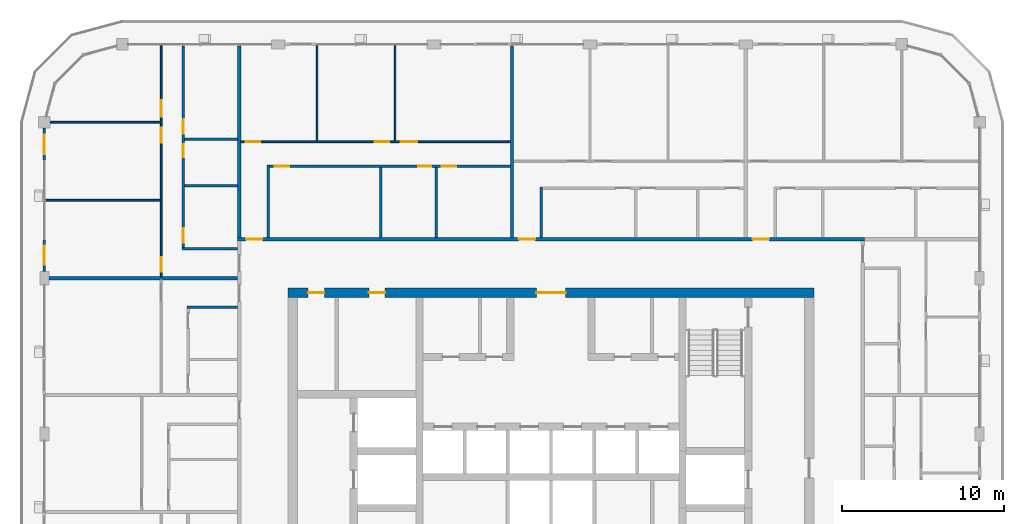
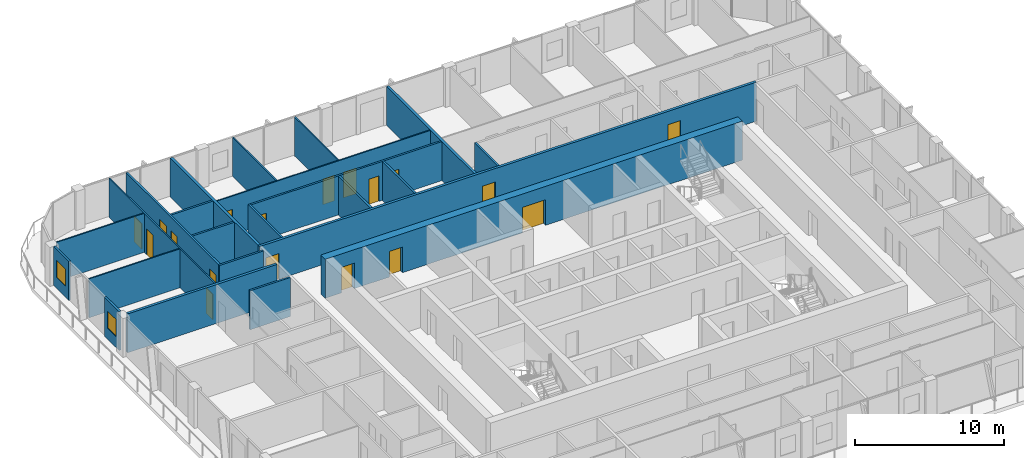
# One storey, part 14 of 22: 23 walls, 18 doors, 2 windows, 20 openings.
"""IFC4 building model written with IfcOpenShell, lengths in metres."""

from ifc_helpers import new_model, si_unit, direction, frame, frame_2d, origin, place, context, subcontext, project, spatial, rectangle, extrude, material, layer, layer_set, type_object, element, fill, save


model = new_model("IFC4")

# Units and contexts
model_context = context("Model", 3, precision=1e-05, world=origin(), true_north=direction((0.0, 1.0)))
body_context = subcontext(model_context, "Body", "Model", "MODEL_VIEW")
ifc_project = project(units=[si_unit("LENGTHUNIT", "METRE"), si_unit("AREAUNIT", "SQUARE_METRE"), si_unit("VOLUMEUNIT", "CUBIC_METRE"), si_unit("PLANEANGLEUNIT", "RADIAN"), si_unit("MASSUNIT", "GRAM", prefix="KILO")], contexts=[model_context])

# Site, building, storey
site_placement = place(None, origin())
site = spatial("IfcSite", under=ifc_project, at=site_placement, CompositionType="ELEMENT")
building_placement = place(site_placement, origin())
building = spatial("IfcBuilding", under=site, at=building_placement, Name="Madar Terraces", CompositionType="ELEMENT")
storey_placement = place(building_placement, frame((0.0, 0.0, 249.199951171875)))
storey = spatial("IfcBuildingStorey", under=building, at=storey_placement, Name="L65", CompositionType="ELEMENT", Elevation=249.199951171875)

# Wall, openings, doors
ifc_material_1 = material(Name="Concrete C55/67", Category="concrete")
ifc_layer_1 = layer(ifc_material_1, 0.60009765625)
ifc_layer_set_1 = layer_set([ifc_layer_1], Name="Concrete C55/67 (CRW5 RC wall 600)")
wall_type_1 = type_object("IfcWallType", Name="CRW5 RC wall 600", PredefinedType="SHEAR", material=ifc_layer_set_1)
wall_1_placement = place(storey_placement, frame((15.0, 37.5, 0.0), z_axis=(0.0, 0.0, 1.0), x_axis=(1.0, 0.0, 0.0)))
wall_1 = element("IfcWall", 1, at=wall_1_placement, inside=storey, type_object=wall_type_1, Name="CORE OUTER WALL", PredefinedType="SHEAR", context=body_context, shape_type="SweptSolid", body=[
    extrude(rectangle(XDim=32.39990234375, YDim=0.60009765625, at=frame_2d((16.199951171875, 0.0))), origin(), (0.0, 0.0, 1.0), 3.199951171875),
])
opening_1_placement = place(wall_1_placement, frame((15.300048828125, 0.0, 0.0)))
opening_1 = element("IfcOpeningElement", 2, at=opening_1_placement, cuts=wall_1, Name="Opening KD1", PredefinedType="OPENING", context=body_context, shape_type="SweptSolid", body=[
    extrude(rectangle(XDim=1.800048828125, YDim=2.10009765625, at=frame_2d((0.89990234375, 1.050048828125))), frame((0.0, 0.31005859375, 0.0), z_axis=(0.0, -1.0, 0.0), x_axis=(1.0, 0.0, 0.0)), (0.0, 0.0, 1.0), 0.6201171875),
])
opening_2_placement = place(wall_1_placement, frame((1.25048828125, 0.0, 0.0)))
opening_2 = element("IfcOpeningElement", 3, at=opening_2_placement, cuts=wall_1, Name="Opening KD2", PredefinedType="OPENING", context=body_context, shape_type="SweptSolid", body=[
    extrude(rectangle(XDim=1.0, YDim=2.10009765625, at=frame_2d((0.5, 1.050048828125))), frame((0.0, 0.31005859375, 0.0), z_axis=(0.0, -1.0, 0.0), x_axis=(1.0, 0.0, 0.0)), (0.0, 0.0, 1.0), 0.6201171875),
])
opening_3_placement = place(wall_1_placement, frame((4.98779296875, 0.0, 0.0)))
opening_3 = element("IfcOpeningElement", 4, at=opening_3_placement, cuts=wall_1, Name="Opening KD2", PredefinedType="OPENING", context=body_context, shape_type="SweptSolid", body=[
    extrude(rectangle(XDim=1.0, YDim=2.10009765625, at=frame_2d((0.5, 1.050048828125))), frame((0.0, 0.31005859375, 0.0), z_axis=(0.0, -1.0, 0.0), x_axis=(1.0, 0.0, 0.0)), (0.0, 0.0, 1.0), 0.6201171875),
])
ifc_material_2 = material(Name="Steel door leaf", Category="steel")
door_type_1 = type_object("IfcDoorType", Name="Lobby door pair 1800 x 2100", OperationType="DOUBLE_DOOR_SINGLE_SWING", PredefinedType="DOOR", material=ifc_material_2)
door_1_placement = place(opening_1_placement, origin())
door_1 = element("IfcDoor", 5, at=door_1_placement, inside=storey, type_object=door_type_1, Name="LIFT LOBBY DOOR", OperationType="DOUBLE_DOOR_SINGLE_SWING", OverallHeight=2.10009765625, OverallWidth=1.800048828125, PredefinedType="DOOR", context=body_context, shape_type="SweptSolid", body=[
    extrude(rectangle(XDim=1.800048828125, YDim=2.10009765625, at=frame_2d((0.89990234375, 1.050048828125))), frame((0.0, 0.02490234375, 0.0), z_axis=(0.0, -1.0, 0.0), x_axis=(1.0, 0.0, 0.0)), (0.0, 0.0, 1.0), 0.050048828125),
])
fill(opening_1, door_1)
ifc_material_3 = material(Name="Steel door leaf", Category="steel")
door_type_2 = type_object("IfcDoorType", Name="Service room door 1000 x 2100", OperationType="NOTDEFINED", PredefinedType="DOOR", material=ifc_material_3)
door_2_placement = place(opening_2_placement, origin())
door_2 = element("IfcDoor", 6, at=door_2_placement, inside=storey, type_object=door_type_2, Name="SERVICE ROOM DOOR", OperationType="SINGLE_SWING_RIGHT", OverallHeight=2.10009765625, OverallWidth=1.0, PredefinedType="DOOR", context=body_context, shape_type="SweptSolid", body=[
    extrude(rectangle(XDim=1.0, YDim=2.10009765625, at=frame_2d((0.5, 1.050048828125))), frame((0.0, 0.02490234375, 0.0), z_axis=(0.0, -1.0, 0.0), x_axis=(1.0, 0.0, 0.0)), (0.0, 0.0, 1.0), 0.050048828125),
])
fill(opening_2, door_2)
door_3_placement = place(opening_3_placement, origin())
door_3 = element("IfcDoor", 7, at=door_3_placement, inside=storey, type_object=door_type_2, Name="SERVICE ROOM DOOR", OperationType="SINGLE_SWING_LEFT", OverallHeight=2.10009765625, OverallWidth=1.0, PredefinedType="DOOR", context=body_context, shape_type="SweptSolid", body=[
    extrude(rectangle(XDim=1.0, YDim=2.10009765625, at=frame_2d((0.5, 1.050048828125))), frame((0.0, 0.02490234375, 0.0), z_axis=(0.0, -1.0, 0.0), x_axis=(1.0, 0.0, 0.0)), (0.0, 0.0, 1.0), 0.050048828125),
])
fill(opening_3, door_3)

# Wall, opening, window
ifc_material_4 = material(Name="Aluminium composite panel, black, over insulated backing", Category="aluminium")
ifc_layer_2 = layer(ifc_material_4, 0.14990234375)
ifc_layer_set_2 = layer_set([ifc_layer_2], Name="Facade bay panel 150")
wall_type_2 = type_object("IfcWallType", Name="Facade bay panel 150", PredefinedType="SOLIDWALL", material=ifc_layer_set_2)
wall_2_placement = place(storey_placement, frame((0.0, 47.64990234375, 0.0), z_axis=(0.0, 0.0, 1.0), x_axis=(0.0, -1.0, 0.0)))
wall_2 = element("IfcWall", 8, at=wall_2_placement, inside=storey, type_object=wall_type_2, Name="Facade bay panel", PredefinedType="SOLIDWALL", context=body_context, shape_type="SweptSolid", body=[
    extrude(rectangle(XDim=2.0498046875, YDim=0.14990234375, at=frame_2d((1.02490234375, 0.0))), origin(), (0.0, 0.0, 1.0), 3.199951171875),
])
opening_4_placement = place(wall_2_placement, frame((0.425048828125, 0.0, 0.89990234375)))
opening_4 = element("IfcOpeningElement", 9, at=opening_4_placement, cuts=wall_2, Name="Opening W1", PredefinedType="OPENING", context=body_context, shape_type="SweptSolid", body=[
    extrude(rectangle(XDim=1.199951171875, YDim=1.39990234375, at=frame_2d((0.60009765625, 0.699951171875))), frame((0.0, 0.0849609375, 0.0), z_axis=(0.0, -1.0, 0.0), x_axis=(1.0, 0.0, 0.0)), (0.0, 0.0, 1.0), 0.169921875),
])
ifc_material_5 = material(Name="Glass, clear, with black aluminium frame", Category="aluminium")
window_type = type_object("IfcWindowType", Name="Vent window 1200 x 1400", PartitioningType="SINGLE_PANEL", PredefinedType="WINDOW", material=ifc_material_5)
window_1_placement = place(opening_4_placement, origin())
window_1 = element("IfcWindow", 10, at=window_1_placement, inside=storey, type_object=window_type, Name="Operable vent window", OverallHeight=1.39990234375, OverallWidth=1.199951171875, PartitioningType="SINGLE_PANEL", PredefinedType="WINDOW", context=body_context, shape_type="SweptSolid", body=[
    extrude(rectangle(XDim=1.199951171875, YDim=1.39990234375, at=frame_2d((0.60009765625, 0.699951171875))), frame((0.0, 0.030029296875, 0.0), z_axis=(0.0, -1.0, 0.0), x_axis=(1.0, 0.0, 0.0)), (0.0, 0.0, 1.0), 0.06005859375),
])
fill(opening_4, window_1)

wall_3_placement = place(storey_placement, frame((0.0, 40.800048828125, 0.0), z_axis=(0.0, 0.0, 1.0), x_axis=(0.0, -1.0, 0.0)))
wall_3 = element("IfcWall", 11, at=wall_3_placement, inside=storey, type_object=wall_type_2, Name="Facade bay panel", PredefinedType="SOLIDWALL", context=body_context, shape_type="SweptSolid", body=[
    extrude(rectangle(XDim=1.97509765625, YDim=0.14990234375, at=frame_2d((0.987548828125, 0.0))), origin(), (0.0, 0.0, 1.0), 3.199951171875),
])
opening_5_placement = place(wall_3_placement, frame((0.387451171875, 0.0, 0.89990234375)))
opening_5 = element("IfcOpeningElement", 12, at=opening_5_placement, cuts=wall_3, Name="Opening W1", PredefinedType="OPENING", context=body_context, shape_type="SweptSolid", body=[
    extrude(rectangle(XDim=1.199951171875, YDim=1.39990234375, at=frame_2d((0.60009765625, 0.699951171875))), frame((0.0, 0.0849609375, 0.0), z_axis=(0.0, -1.0, 0.0), x_axis=(1.0, 0.0, 0.0)), (0.0, 0.0, 1.0), 0.169921875),
])
window_2_placement = place(opening_5_placement, origin())
window_2 = element("IfcWindow", 13, at=window_2_placement, inside=storey, type_object=window_type, Name="Operable vent window", OverallHeight=1.39990234375, OverallWidth=1.199951171875, PartitioningType="SINGLE_PANEL", PredefinedType="WINDOW", context=body_context, shape_type="SweptSolid", body=[
    extrude(rectangle(XDim=1.199951171875, YDim=1.39990234375, at=frame_2d((0.60009765625, 0.699951171875))), frame((0.0, 0.030029296875, 0.0), z_axis=(0.0, -1.0, 0.0), x_axis=(1.0, 0.0, 0.0)), (0.0, 0.0, 1.0), 0.06005859375),
])
fill(opening_5, window_2)

# Walls
ifc_material_6 = material(Name="Gypsum board on steel studs", Category="steel")
ifc_layer_3 = layer(ifc_material_6, 0.10009765625)
ifc_layer_set_3 = layer_set([ifc_layer_3], Name="Flat partition 100")
wall_type_3 = type_object("IfcWallType", Name="Flat partition 100", PredefinedType="PARTITIONING", material=ifc_layer_set_3)
for number, where, z_axis, x_axis, name in (
    (14, (16.800048828125, 46.85009765625, 0.0), (0.0, 0.0, 1.0), (0.0, 1.0, 0.0), "Flat partition 100"),
    (15, (21.60009765625, 46.85009765625, 0.0), (0.0, 0.0, 1.0), (0.0, 1.0, 0.0), "Flat partition 100"),
):
    element("IfcWall", number, at=place(storey_placement, frame(where, z_axis=z_axis, x_axis=x_axis)), inside=storey, type_object=wall_type_3, Name=name, PredefinedType="PARTITIONING", context=body_context, shape_type="SweptSolid", body=[
        extrude(rectangle(XDim=5.849853515625, YDim=0.10009765625, at=frame_2d((2.9248046875, 0.0))), origin(), (0.0, 0.0, 1.0), 3.199951171875),
    ])

# Wall, openings, doors
wall_4_placement = place(storey_placement, frame((12.10009765625, 46.800048828125, 0.0), z_axis=(0.0, 0.0, 1.0), x_axis=(1.0, 0.0, 0.0)))
wall_4 = element("IfcWall", 16, at=wall_4_placement, inside=storey, type_object=wall_type_3, Name="Flat partition 100", PredefinedType="PARTITIONING", context=body_context, shape_type="SweptSolid", body=[
    extrude(rectangle(XDim=16.599853515625, YDim=0.10009765625, at=frame_2d((8.2998046875, 0.0))), origin(), (0.0, 0.0, 1.0), 3.199951171875),
])
opening_6_placement = place(wall_4_placement, frame((0.300048828125, 0.0, 0.0)))
opening_6 = element("IfcOpeningElement", 17, at=opening_6_placement, cuts=wall_4, Name="Opening D2", PredefinedType="OPENING", context=body_context, shape_type="SweptSolid", body=[
    extrude(rectangle(XDim=0.89990234375, YDim=2.10009765625, at=frame_2d((0.449951171875, 1.050048828125))), frame((0.0, 0.06005859375, 0.0), z_axis=(0.0, -1.0, 0.0), x_axis=(1.0, 0.0, 0.0)), (0.0, 0.0, 1.0), 0.1201171875),
])
opening_7_placement = place(wall_4_placement, frame((8.25, 0.0, 0.0)))
opening_7 = element("IfcOpeningElement", 18, at=opening_7_placement, cuts=wall_4, Name="Opening D2", PredefinedType="OPENING", context=body_context, shape_type="SweptSolid", body=[
    extrude(rectangle(XDim=0.89990234375, YDim=2.10009765625, at=frame_2d((0.449951171875, 1.050048828125))), frame((0.0, 0.06005859375, 0.0), z_axis=(0.0, -1.0, 0.0), x_axis=(1.0, 0.0, 0.0)), (0.0, 0.0, 1.0), 0.1201171875),
])
opening_8_placement = place(wall_4_placement, frame((9.85009765625, 0.0, 0.0)))
opening_8 = element("IfcOpeningElement", 19, at=opening_8_placement, cuts=wall_4, Name="Opening D3", PredefinedType="OPENING", context=body_context, shape_type="SweptSolid", body=[
    extrude(rectangle(XDim=1.0, YDim=2.10009765625, at=frame_2d((0.5, 1.050048828125))), frame((0.0, 0.06005859375, 0.0), z_axis=(0.0, -1.0, 0.0), x_axis=(1.0, 0.0, 0.0)), (0.0, 0.0, 1.0), 0.1201171875),
])
ifc_material_7 = material(Name="Timber door leaf", Category="wood")
door_type_3 = type_object("IfcDoorType", Name="Flat living room door 1000", OperationType="NOTDEFINED", PredefinedType="DOOR", material=ifc_material_7)
door_4_placement = place(opening_8_placement, origin())
door_4 = element("IfcDoor", 20, at=door_4_placement, inside=storey, type_object=door_type_3, Name="Flat living room door 1000", OperationType="SINGLE_SWING_LEFT", OverallHeight=2.10009765625, OverallWidth=1.0, PredefinedType="DOOR", context=body_context, shape_type="SweptSolid", body=[
    extrude(rectangle(XDim=1.0, YDim=2.10009765625, at=frame_2d((0.5, 1.050048828125))), frame((0.0, 0.02490234375, 0.0), z_axis=(0.0, -1.0, 0.0), x_axis=(1.0, 0.0, 0.0)), (0.0, 0.0, 1.0), 0.050048828125),
])
fill(opening_8, door_4)
ifc_material_8 = material(Name="Timber door leaf", Category="wood")
door_type_4 = type_object("IfcDoorType", Name="Flat room door 900", OperationType="NOTDEFINED", PredefinedType="DOOR", material=ifc_material_8)
door_5_placement = place(opening_6_placement, origin())
door_5 = element("IfcDoor", 21, at=door_5_placement, inside=storey, type_object=door_type_4, Name="Flat room door 900", OperationType="SINGLE_SWING_LEFT", OverallHeight=2.10009765625, OverallWidth=0.89990234375, PredefinedType="DOOR", context=body_context, shape_type="SweptSolid", body=[
    extrude(rectangle(XDim=0.89990234375, YDim=2.10009765625, at=frame_2d((0.449951171875, 1.050048828125))), frame((0.0, 0.02490234375, 0.0), z_axis=(0.0, -1.0, 0.0), x_axis=(1.0, 0.0, 0.0)), (0.0, 0.0, 1.0), 0.050048828125),
])
fill(opening_6, door_5)
door_6_placement = place(opening_7_placement, origin())
door_6 = element("IfcDoor", 22, at=door_6_placement, inside=storey, type_object=door_type_4, Name="Flat room door 900", OperationType="SINGLE_SWING_RIGHT", OverallHeight=2.10009765625, OverallWidth=0.89990234375, PredefinedType="DOOR", context=body_context, shape_type="SweptSolid", body=[
    extrude(rectangle(XDim=0.89990234375, YDim=2.10009765625, at=frame_2d((0.449951171875, 1.050048828125))), frame((0.0, 0.02490234375, 0.0), z_axis=(0.0, -1.0, 0.0), x_axis=(1.0, 0.0, 0.0)), (0.0, 0.0, 1.0), 0.050048828125),
])
fill(opening_7, door_6)

# Walls
wall_5_placement = place(storey_placement, frame((7.14990234375, 43.199951171875, 0.0), z_axis=(0.0, 0.0, 1.0), x_axis=(-1.0, 0.0, 0.0)))
element("IfcWall", 23, at=wall_5_placement, inside=storey, type_object=wall_type_3, Name="Flat partition 100", PredefinedType="PARTITIONING", context=body_context, shape_type="SweptSolid", body=[
    extrude(rectangle(XDim=7.0498046875, YDim=0.10009765625, at=frame_2d((3.52490234375, 0.0))), origin(), (0.0, 0.0, 1.0), 3.199951171875),
])
wall_6_placement = place(storey_placement, frame((7.14990234375, 48.0, 0.0), z_axis=(0.0, 0.0, 1.0), x_axis=(-1.0, 0.0, 0.0)))
element("IfcWall", 24, at=wall_6_placement, inside=storey, type_object=wall_type_3, Name="Flat partition 100", PredefinedType="PARTITIONING", context=body_context, shape_type="SweptSolid", body=[
    extrude(rectangle(XDim=6.7998046875, YDim=0.10009765625, at=frame_2d((3.39990234375, 0.0))), origin(), (0.0, 0.0, 1.0), 3.199951171875),
])

# Wall, openings, doors
wall_7_placement = place(storey_placement, frame((7.199951171875, 38.5, 0.0), z_axis=(0.0, 0.0, 1.0), x_axis=(0.0, 1.0, 0.0)))
wall_7 = element("IfcWall", 25, at=wall_7_placement, inside=storey, type_object=wall_type_3, Name="Flat partition 100", PredefinedType="PARTITIONING", context=body_context, shape_type="SweptSolid", body=[
    extrude(rectangle(XDim=14.199951171875, YDim=0.10009765625, at=frame_2d((7.10009765625, 0.0))), origin(), (0.0, 0.0, 1.0), 3.199951171875),
])
opening_9_placement = place(wall_7_placement, frame((0.300048828125, 0.0, 0.0)))
opening_9 = element("IfcOpeningElement", 26, at=opening_9_placement, cuts=wall_7, Name="Opening D2", PredefinedType="OPENING", context=body_context, shape_type="SweptSolid", body=[
    extrude(rectangle(XDim=0.89990234375, YDim=2.10009765625, at=frame_2d((0.449951171875, 1.050048828125))), frame((0.0, 0.06005859375, 0.0), z_axis=(0.0, -1.0, 0.0), x_axis=(1.0, 0.0, 0.0)), (0.0, 0.0, 1.0), 0.1201171875),
])
opening_10_placement = place(wall_7_placement, frame((8.25, 0.0, 0.0)))
opening_10 = element("IfcOpeningElement", 27, at=opening_10_placement, cuts=wall_7, Name="Opening D2", PredefinedType="OPENING", context=body_context, shape_type="SweptSolid", body=[
    extrude(rectangle(XDim=0.89990234375, YDim=2.10009765625, at=frame_2d((0.449951171875, 1.050048828125))), frame((0.0, 0.06005859375, 0.0), z_axis=(0.0, -1.0, 0.0), x_axis=(1.0, 0.0, 0.0)), (0.0, 0.0, 1.0), 0.1201171875),
])
opening_11_placement = place(wall_7_placement, frame((9.85009765625, 0.0, 0.0)))
opening_11 = element("IfcOpeningElement", 28, at=opening_11_placement, cuts=wall_7, Name="Opening D3", PredefinedType="OPENING", context=body_context, shape_type="SweptSolid", body=[
    extrude(rectangle(XDim=1.0, YDim=2.10009765625, at=frame_2d((0.5, 1.050048828125))), frame((0.0, 0.06005859375, 0.0), z_axis=(0.0, -1.0, 0.0), x_axis=(1.0, 0.0, 0.0)), (0.0, 0.0, 1.0), 0.1201171875),
])
door_7_placement = place(opening_11_placement, origin())
door_7 = element("IfcDoor", 29, at=door_7_placement, inside=storey, type_object=door_type_3, Name="Flat living room door 1000", OperationType="SINGLE_SWING_LEFT", OverallHeight=2.10009765625, OverallWidth=1.0, PredefinedType="DOOR", context=body_context, shape_type="SweptSolid", body=[
    extrude(rectangle(XDim=1.0, YDim=2.10009765625, at=frame_2d((0.5, 1.050048828125))), frame((0.0, 0.02490234375, 0.0), z_axis=(0.0, -1.0, 0.0), x_axis=(1.0, 0.0, 0.0)), (0.0, 0.0, 1.0), 0.050048828125),
])
fill(opening_11, door_7)
door_8_placement = place(opening_9_placement, origin())
door_8 = element("IfcDoor", 30, at=door_8_placement, inside=storey, type_object=door_type_4, Name="Flat room door 900", OperationType="SINGLE_SWING_LEFT", OverallHeight=2.10009765625, OverallWidth=0.89990234375, PredefinedType="DOOR", context=body_context, shape_type="SweptSolid", body=[
    extrude(rectangle(XDim=0.89990234375, YDim=2.10009765625, at=frame_2d((0.449951171875, 1.050048828125))), frame((0.0, 0.02490234375, 0.0), z_axis=(0.0, -1.0, 0.0), x_axis=(1.0, 0.0, 0.0)), (0.0, 0.0, 1.0), 0.050048828125),
])
fill(opening_9, door_8)
door_9_placement = place(opening_10_placement, origin())
door_9 = element("IfcDoor", 31, at=door_9_placement, inside=storey, type_object=door_type_4, Name="Flat room door 900", OperationType="SINGLE_SWING_RIGHT", OverallHeight=2.10009765625, OverallWidth=0.89990234375, PredefinedType="DOOR", context=body_context, shape_type="SweptSolid", body=[
    extrude(rectangle(XDim=0.89990234375, YDim=2.10009765625, at=frame_2d((0.449951171875, 1.050048828125))), frame((0.0, 0.02490234375, 0.0), z_axis=(0.0, -1.0, 0.0), x_axis=(1.0, 0.0, 0.0)), (0.0, 0.0, 1.0), 0.050048828125),
])
fill(opening_10, door_9)

ifc_material_9 = material(Name="Lightweight blockwork", Category="masonry")
ifc_layer_4 = layer(ifc_material_9, 0.199951171875)
ifc_layer_set_4 = layer_set([ifc_layer_4], Name="Flat party and entrance wall 200")
wall_type_4 = type_object("IfcWallType", Name="Flat party and entrance wall 200", PredefinedType="PARTITIONING", material=ifc_layer_set_4)
wall_8_placement = place(storey_placement, frame((11.89990234375, 40.800048828125, 0.0), z_axis=(0.0, 0.0, 1.0), x_axis=(1.0, 0.0, 0.0)))
wall_8 = element("IfcWall", 32, at=wall_8_placement, inside=storey, type_object=wall_type_4, Name="Flat party and entrance wall 200", PredefinedType="PARTITIONING", context=body_context, shape_type="SweptSolid", body=[
    extrude(rectangle(XDim=38.60009765625, YDim=0.199951171875, at=frame_2d((19.300048828125, 0.0))), origin(), (0.0, 0.0, 1.0), 3.199951171875),
])
opening_12_placement = place(wall_8_placement, frame((31.72509765625, 0.0, 0.0)))
opening_12 = element("IfcOpeningElement", 33, at=opening_12_placement, cuts=wall_8, Name="Opening D1", PredefinedType="OPENING", context=body_context, shape_type="SweptSolid", body=[
    extrude(rectangle(XDim=1.0, YDim=2.10009765625, at=frame_2d((0.5, 1.050048828125))), frame((0.0, 0.10986328125, 0.0), z_axis=(0.0, -1.0, 0.0), x_axis=(1.0, 0.0, 0.0)), (0.0, 0.0, 1.0), 0.219970703125),
])
opening_13_placement = place(wall_8_placement, frame((17.324951171875, 0.0, 0.0)))
opening_13 = element("IfcOpeningElement", 34, at=opening_13_placement, cuts=wall_8, Name="Opening D1", PredefinedType="OPENING", context=body_context, shape_type="SweptSolid", body=[
    extrude(rectangle(XDim=1.0, YDim=2.10009765625, at=frame_2d((0.5, 1.050048828125))), frame((0.0, 0.10986328125, 0.0), z_axis=(0.0, -1.0, 0.0), x_axis=(1.0, 0.0, 0.0)), (0.0, 0.0, 1.0), 0.219970703125),
])
opening_14_placement = place(wall_8_placement, frame((0.52490234375, 0.0, 0.0)))
opening_14 = element("IfcOpeningElement", 35, at=opening_14_placement, cuts=wall_8, Name="Opening D1", PredefinedType="OPENING", context=body_context, shape_type="SweptSolid", body=[
    extrude(rectangle(XDim=1.0, YDim=2.10009765625, at=frame_2d((0.5, 1.050048828125))), frame((0.0, 0.10986328125, 0.0), z_axis=(0.0, -1.0, 0.0), x_axis=(1.0, 0.0, 0.0)), (0.0, 0.0, 1.0), 0.219970703125),
])
ifc_material_10 = material(Name="Timber fire door leaf", Category="wood")
door_type_5 = type_object("IfcDoorType", Name="Flat entrance door 1000 FD30S", OperationType="NOTDEFINED", PredefinedType="DOOR", material=ifc_material_10)
door_10_placement = place(opening_12_placement, origin())
door_10 = element("IfcDoor", 36, at=door_10_placement, inside=storey, type_object=door_type_5, Name="Flat entrance door 1000 FD30S", OperationType="SINGLE_SWING_LEFT", OverallHeight=2.10009765625, OverallWidth=1.0, PredefinedType="DOOR", context=body_context, shape_type="SweptSolid", body=[
    extrude(rectangle(XDim=1.0, YDim=2.10009765625, at=frame_2d((0.5, 1.050048828125))), frame((0.0, 0.02490234375, 0.0), z_axis=(0.0, -1.0, 0.0), x_axis=(1.0, 0.0, 0.0)), (0.0, 0.0, 1.0), 0.050048828125),
])
fill(opening_12, door_10)
door_11_placement = place(opening_13_placement, origin())
door_11 = element("IfcDoor", 37, at=door_11_placement, inside=storey, type_object=door_type_5, Name="Flat entrance door 1000 FD30S", OperationType="SINGLE_SWING_LEFT", OverallHeight=2.10009765625, OverallWidth=1.0, PredefinedType="DOOR", context=body_context, shape_type="SweptSolid", body=[
    extrude(rectangle(XDim=1.0, YDim=2.10009765625, at=frame_2d((0.5, 1.050048828125))), frame((0.0, 0.02490234375, 0.0), z_axis=(0.0, -1.0, 0.0), x_axis=(1.0, 0.0, 0.0)), (0.0, 0.0, 1.0), 0.050048828125),
])
fill(opening_13, door_11)
door_12_placement = place(opening_14_placement, origin())
door_12 = element("IfcDoor", 38, at=door_12_placement, inside=storey, type_object=door_type_5, Name="Flat entrance door 1000 FD30S", OperationType="SINGLE_SWING_LEFT", OverallHeight=2.10009765625, OverallWidth=1.0, PredefinedType="DOOR", context=body_context, shape_type="SweptSolid", body=[
    extrude(rectangle(XDim=1.0, YDim=2.10009765625, at=frame_2d((0.5, 1.050048828125))), frame((0.0, 0.02490234375, 0.0), z_axis=(0.0, -1.0, 0.0), x_axis=(1.0, 0.0, 0.0)), (0.0, 0.0, 1.0), 0.050048828125),
])
fill(opening_14, door_12)

# Walls
for number, where, z_axis, x_axis, name in (
    (39, (28.800048828125, 52.699951171875, 0.0), (0.0, 0.0, 1.0), (0.0, -1.0, 0.0), "Flat party and entrance wall 200"),
    (40, (12.0, 52.699951171875, 0.0), (0.0, 0.0, 1.0), (0.0, -1.0, 0.0), "Flat party and entrance wall 200"),
):
    element("IfcWall", number, at=place(storey_placement, frame(where, z_axis=z_axis, x_axis=x_axis)), inside=storey, type_object=wall_type_4, Name=name, PredefinedType="PARTITIONING", context=body_context, shape_type="SweptSolid", body=[
        extrude(rectangle(XDim=11.800048828125, YDim=0.199951171875, at=frame_2d((5.89990234375, 0.0))), origin(), (0.0, 0.0, 1.0), 3.199951171875),
    ])
wall_9_placement = place(storey_placement, frame((0.27490234375, 38.39990234375, 0.0), z_axis=(0.0, 0.0, 1.0), x_axis=(1.0, 0.0, 0.0)))
element("IfcWall", 41, at=wall_9_placement, inside=storey, type_object=wall_type_4, Name="Flat party and entrance wall 200", PredefinedType="PARTITIONING", context=body_context, shape_type="SweptSolid", body=[
    extrude(rectangle(XDim=11.625, YDim=0.199951171875, at=frame_2d((5.8125, 0.0))), origin(), (0.0, 0.0, 1.0), 3.199951171875),
])
ifc_material_11 = material(Name="Lightweight blockwork", Category="masonry")
ifc_layer_5 = layer(ifc_material_11, 0.14990234375)
ifc_layer_set_5 = layer_set([ifc_layer_5], Name="Flat wet-room partition 150")
wall_type_5 = type_object("IfcWallType", Name="Flat wet-room partition 150", PredefinedType="PARTITIONING", material=ifc_layer_set_5)
wall_10_placement = place(storey_placement, frame((30.60009765625, 40.89990234375, 0.0), z_axis=(0.0, 0.0, 1.0), x_axis=(0.0, 1.0, 0.0)))
element("IfcWall", 42, at=wall_10_placement, inside=storey, type_object=wall_type_5, Name="Flat wet-room partition 150", PredefinedType="PARTITIONING", context=body_context, shape_type="SweptSolid", body=[
    extrude(rectangle(XDim=3.125, YDim=0.14990234375, at=frame_2d((1.5625, 0.0))), origin(), (0.0, 0.0, 1.0), 3.199951171875),
])
for number, where, z_axis, x_axis, name in (
    (43, (20.71728515625, 40.89990234375, 0.0), (0.0, 0.0, 1.0), (0.0, 1.0, 0.0), "Flat wet-room partition 150"),
    (44, (24.138427734375, 40.89990234375, 0.0), (0.0, 0.0, 1.0), (0.0, 1.0, 0.0), "Flat wet-room partition 150"),
):
    element("IfcWall", number, at=place(storey_placement, frame(where, z_axis=z_axis, x_axis=x_axis)), inside=storey, type_object=wall_type_5, Name=name, PredefinedType="PARTITIONING", context=body_context, shape_type="SweptSolid", body=[
        extrude(rectangle(XDim=4.3251953125, YDim=0.14990234375, at=frame_2d((2.16259765625, 0.0))), origin(), (0.0, 0.0, 1.0), 3.199951171875),
    ])
wall_11_placement = place(storey_placement, frame((13.800048828125, 40.89990234375, 0.0), z_axis=(0.0, 0.0, 1.0), x_axis=(0.0, 1.0, 0.0)))
element("IfcWall", 45, at=wall_11_placement, inside=storey, type_object=wall_type_5, Name="Flat wet-room partition 150", PredefinedType="PARTITIONING", context=body_context, shape_type="SweptSolid", body=[
    extrude(rectangle(XDim=4.47509765625, YDim=0.14990234375, at=frame_2d((2.237548828125, 0.0))), origin(), (0.0, 0.0, 1.0), 3.199951171875),
])

# Wall, openings, doors
wall_12_placement = place(storey_placement, frame((28.699951171875, 45.300048828125, 0.0), z_axis=(0.0, 0.0, 1.0), x_axis=(-1.0, 0.0, 0.0)))
wall_12 = element("IfcWall", 46, at=wall_12_placement, inside=storey, type_object=wall_type_5, Name="Flat wet-room partition 150", PredefinedType="PARTITIONING", context=body_context, shape_type="SweptSolid", body=[
    extrude(rectangle(XDim=14.824951171875, YDim=0.14990234375, at=frame_2d((7.41259765625, 0.0))), origin(), (0.0, 0.0, 1.0), 3.199951171875),
])
opening_15_placement = place(wall_12_placement, frame((13.625, 0.0, 0.0)))
opening_15 = element("IfcOpeningElement", 47, at=opening_15_placement, cuts=wall_12, Name="Opening D2", PredefinedType="OPENING", context=body_context, shape_type="SweptSolid", body=[
    extrude(rectangle(XDim=0.89990234375, YDim=2.10009765625, at=frame_2d((0.449951171875, 1.050048828125))), frame((0.0, 0.0849609375, 0.0), z_axis=(0.0, -1.0, 0.0), x_axis=(1.0, 0.0, 0.0)), (0.0, 0.0, 1.0), 0.169921875),
])
opening_16_placement = place(wall_12_placement, frame((4.886474609375, 0.0, 0.0)))
opening_16 = element("IfcOpeningElement", 48, at=opening_16_placement, cuts=wall_12, Name="Opening D4", PredefinedType="OPENING", context=body_context, shape_type="SweptSolid", body=[
    extrude(rectangle(XDim=0.800048828125, YDim=2.10009765625, at=frame_2d((0.39990234375, 1.050048828125))), frame((0.0, 0.0849609375, 0.0), z_axis=(0.0, -1.0, 0.0), x_axis=(1.0, 0.0, 0.0)), (0.0, 0.0, 1.0), 0.169921875),
])
opening_17_placement = place(wall_12_placement, frame((3.33642578125, 0.0, 0.0)))
opening_17 = element("IfcOpeningElement", 49, at=opening_17_placement, cuts=wall_12, Name="Opening D5", PredefinedType="OPENING", context=body_context, shape_type="SweptSolid", body=[
    extrude(rectangle(XDim=0.89990234375, YDim=2.10009765625, at=frame_2d((0.449951171875, 1.050048828125))), frame((0.0, 0.0849609375, 0.0), z_axis=(0.0, -1.0, 0.0), x_axis=(1.0, 0.0, 0.0)), (0.0, 0.0, 1.0), 0.169921875),
])
ifc_material_12 = material(Name="Timber door leaf", Category="wood")
door_type_6 = type_object("IfcDoorType", Name="Flat accessible bathroom door 900", OperationType="NOTDEFINED", PredefinedType="DOOR", material=ifc_material_12)
door_13_placement = place(opening_17_placement, origin())
door_13 = element("IfcDoor", 50, at=door_13_placement, inside=storey, type_object=door_type_6, Name="Flat accessible bathroom door 900", OperationType="SINGLE_SWING_RIGHT", OverallHeight=2.10009765625, OverallWidth=0.89990234375, PredefinedType="DOOR", context=body_context, shape_type="SweptSolid", body=[
    extrude(rectangle(XDim=0.89990234375, YDim=2.10009765625, at=frame_2d((0.449951171875, 1.050048828125))), frame((0.0, 0.02490234375, 0.0), z_axis=(0.0, -1.0, 0.0), x_axis=(1.0, 0.0, 0.0)), (0.0, 0.0, 1.0), 0.050048828125),
])
fill(opening_17, door_13)
ifc_material_13 = material(Name="Timber door leaf", Category="wood")
door_type_7 = type_object("IfcDoorType", Name="Flat bathroom door 800", OperationType="NOTDEFINED", PredefinedType="DOOR", material=ifc_material_13)
door_14_placement = place(opening_16_placement, origin())
door_14 = element("IfcDoor", 51, at=door_14_placement, inside=storey, type_object=door_type_7, Name="Flat bathroom door 800", OperationType="SINGLE_SWING_LEFT", OverallHeight=2.10009765625, OverallWidth=0.800048828125, PredefinedType="DOOR", context=body_context, shape_type="SweptSolid", body=[
    extrude(rectangle(XDim=0.800048828125, YDim=2.10009765625, at=frame_2d((0.39990234375, 1.050048828125))), frame((0.0, 0.02490234375, 0.0), z_axis=(0.0, -1.0, 0.0), x_axis=(1.0, 0.0, 0.0)), (0.0, 0.0, 1.0), 0.050048828125),
])
fill(opening_16, door_14)
door_15_placement = place(opening_15_placement, origin())
door_15 = element("IfcDoor", 52, at=door_15_placement, inside=storey, type_object=door_type_4, Name="Flat room door 900", OperationType="SINGLE_SWING_RIGHT", OverallHeight=2.10009765625, OverallWidth=0.89990234375, PredefinedType="DOOR", context=body_context, shape_type="SweptSolid", body=[
    extrude(rectangle(XDim=0.89990234375, YDim=2.10009765625, at=frame_2d((0.449951171875, 1.050048828125))), frame((0.0, 0.02490234375, 0.0), z_axis=(0.0, -1.0, 0.0), x_axis=(1.0, 0.0, 0.0)), (0.0, 0.0, 1.0), 0.050048828125),
])
fill(opening_15, door_15)

# Walls
for number, where, z_axis, x_axis, name in (
    (53, (11.89990234375, 44.09814453125, 0.0), (0.0, 0.0, 1.0), (-1.0, 0.0, 0.0), "Flat wet-room partition 150"),
    (54, (11.89990234375, 46.96533203125, 0.0), (0.0, 0.0, 1.0), (-1.0, 0.0, 0.0), "Flat wet-room partition 150"),
):
    element("IfcWall", number, at=place(storey_placement, frame(where, z_axis=z_axis, x_axis=x_axis)), inside=storey, type_object=wall_type_5, Name=name, PredefinedType="PARTITIONING", context=body_context, shape_type="SweptSolid", body=[
        extrude(rectangle(XDim=3.27490234375, YDim=0.14990234375, at=frame_2d((1.637451171875, 0.0))), origin(), (0.0, 0.0, 1.0), 3.199951171875),
    ])
wall_13_placement = place(storey_placement, frame((11.89990234375, 40.199951171875, 0.0), z_axis=(0.0, 0.0, 1.0), x_axis=(-1.0, 0.0, 0.0)))
element("IfcWall", 55, at=wall_13_placement, inside=storey, type_object=wall_type_5, Name="Flat wet-room partition 150", PredefinedType="PARTITIONING", context=body_context, shape_type="SweptSolid", body=[
    extrude(rectangle(XDim=3.4248046875, YDim=0.14990234375, at=frame_2d((1.71240234375, 0.0))), origin(), (0.0, 0.0, 1.0), 3.199951171875),
])

# Wall, openings, doors
wall_14_placement = place(storey_placement, frame((8.550048828125, 52.699951171875, 0.0), z_axis=(0.0, 0.0, 1.0), x_axis=(0.0, -1.0, 0.0)))
wall_14 = element("IfcWall", 56, at=wall_14_placement, inside=storey, type_object=wall_type_5, Name="Flat wet-room partition 150", PredefinedType="PARTITIONING", context=body_context, shape_type="SweptSolid", body=[
    extrude(rectangle(XDim=12.425048828125, YDim=0.14990234375, at=frame_2d((6.21240234375, 0.0))), origin(), (0.0, 0.0, 1.0), 3.199951171875),
])
opening_18_placement = place(wall_14_placement, frame((11.22509765625, 0.0, 0.0)))
opening_18 = element("IfcOpeningElement", 57, at=opening_18_placement, cuts=wall_14, Name="Opening D5", PredefinedType="OPENING", context=body_context, shape_type="SweptSolid", body=[
    extrude(rectangle(XDim=0.89990234375, YDim=2.10009765625, at=frame_2d((0.449951171875, 1.050048828125))), frame((0.0, 0.0849609375, 0.0), z_axis=(0.0, -1.0, 0.0), x_axis=(1.0, 0.0, 0.0)), (0.0, 0.0, 1.0), 0.169921875),
])
opening_19_placement = place(wall_14_placement, frame((6.0595703125, 0.0, 0.0)))
opening_19 = element("IfcOpeningElement", 58, at=opening_19_placement, cuts=wall_14, Name="Opening D4", PredefinedType="OPENING", context=body_context, shape_type="SweptSolid", body=[
    extrude(rectangle(XDim=0.800048828125, YDim=2.10009765625, at=frame_2d((0.39990234375, 1.050048828125))), frame((0.0, 0.0849609375, 0.0), z_axis=(0.0, -1.0, 0.0), x_axis=(1.0, 0.0, 0.0)), (0.0, 0.0, 1.0), 0.169921875),
])
opening_20_placement = place(wall_14_placement, frame((4.509521484375, 0.0, 0.0)))
opening_20 = element("IfcOpeningElement", 59, at=opening_20_placement, cuts=wall_14, Name="Opening D2", PredefinedType="OPENING", context=body_context, shape_type="SweptSolid", body=[
    extrude(rectangle(XDim=0.89990234375, YDim=2.10009765625, at=frame_2d((0.449951171875, 1.050048828125))), frame((0.0, 0.0849609375, 0.0), z_axis=(0.0, -1.0, 0.0), x_axis=(1.0, 0.0, 0.0)), (0.0, 0.0, 1.0), 0.169921875),
])
door_16_placement = place(opening_18_placement, origin())
door_16 = element("IfcDoor", 60, at=door_16_placement, inside=storey, type_object=door_type_6, Name="Flat accessible bathroom door 900", OperationType="SINGLE_SWING_RIGHT", OverallHeight=2.10009765625, OverallWidth=0.89990234375, PredefinedType="DOOR", context=body_context, shape_type="SweptSolid", body=[
    extrude(rectangle(XDim=0.89990234375, YDim=2.10009765625, at=frame_2d((0.449951171875, 1.050048828125))), frame((0.0, 0.02490234375, 0.0), z_axis=(0.0, -1.0, 0.0), x_axis=(1.0, 0.0, 0.0)), (0.0, 0.0, 1.0), 0.050048828125),
])
fill(opening_18, door_16)
door_17_placement = place(opening_19_placement, origin())
door_17 = element("IfcDoor", 61, at=door_17_placement, inside=storey, type_object=door_type_7, Name="Flat bathroom door 800", OperationType="SINGLE_SWING_LEFT", OverallHeight=2.10009765625, OverallWidth=0.800048828125, PredefinedType="DOOR", context=body_context, shape_type="SweptSolid", body=[
    extrude(rectangle(XDim=0.800048828125, YDim=2.10009765625, at=frame_2d((0.39990234375, 1.050048828125))), frame((0.0, 0.02490234375, 0.0), z_axis=(0.0, -1.0, 0.0), x_axis=(1.0, 0.0, 0.0)), (0.0, 0.0, 1.0), 0.050048828125),
])
fill(opening_19, door_17)
door_18_placement = place(opening_20_placement, origin())
door_18 = element("IfcDoor", 62, at=door_18_placement, inside=storey, type_object=door_type_4, Name="Flat room door 900", OperationType="SINGLE_SWING_RIGHT", OverallHeight=2.10009765625, OverallWidth=0.89990234375, PredefinedType="DOOR", context=body_context, shape_type="SweptSolid", body=[
    extrude(rectangle(XDim=0.89990234375, YDim=2.10009765625, at=frame_2d((0.449951171875, 1.050048828125))), frame((0.0, 0.02490234375, 0.0), z_axis=(0.0, -1.0, 0.0), x_axis=(1.0, 0.0, 0.0)), (0.0, 0.0, 1.0), 0.050048828125),
])
fill(opening_20, door_18)

# Wall
wall_15_placement = place(storey_placement, frame((11.89990234375, 36.60009765625, 0.0), z_axis=(0.0, 0.0, 1.0), x_axis=(-1.0, 0.0, 0.0)))
element("IfcWall", 63, at=wall_15_placement, inside=storey, type_object=wall_type_5, Name="Flat wet-room partition 150", PredefinedType="PARTITIONING", context=body_context, shape_type="SweptSolid", body=[
    extrude(rectangle(XDim=3.125, YDim=0.14990234375, at=frame_2d((1.5625, 0.0))), origin(), (0.0, 0.0, 1.0), 3.199951171875),
])

save(model, "model.ifc")
